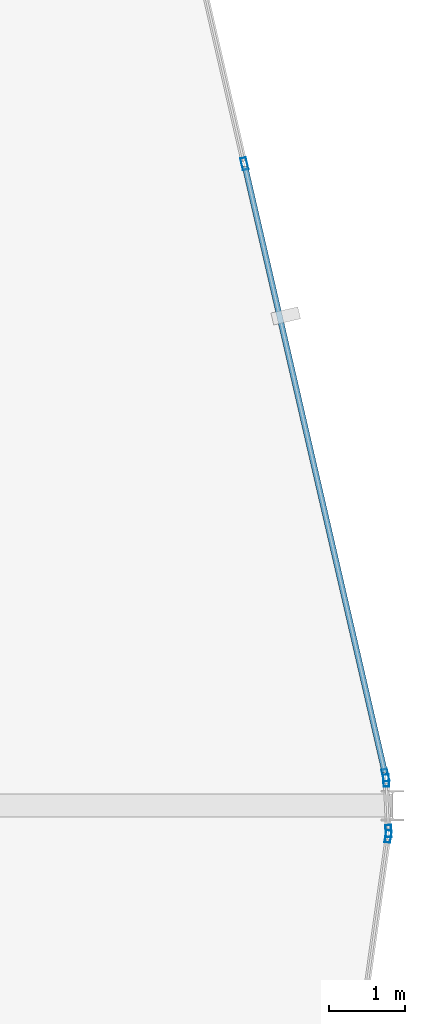
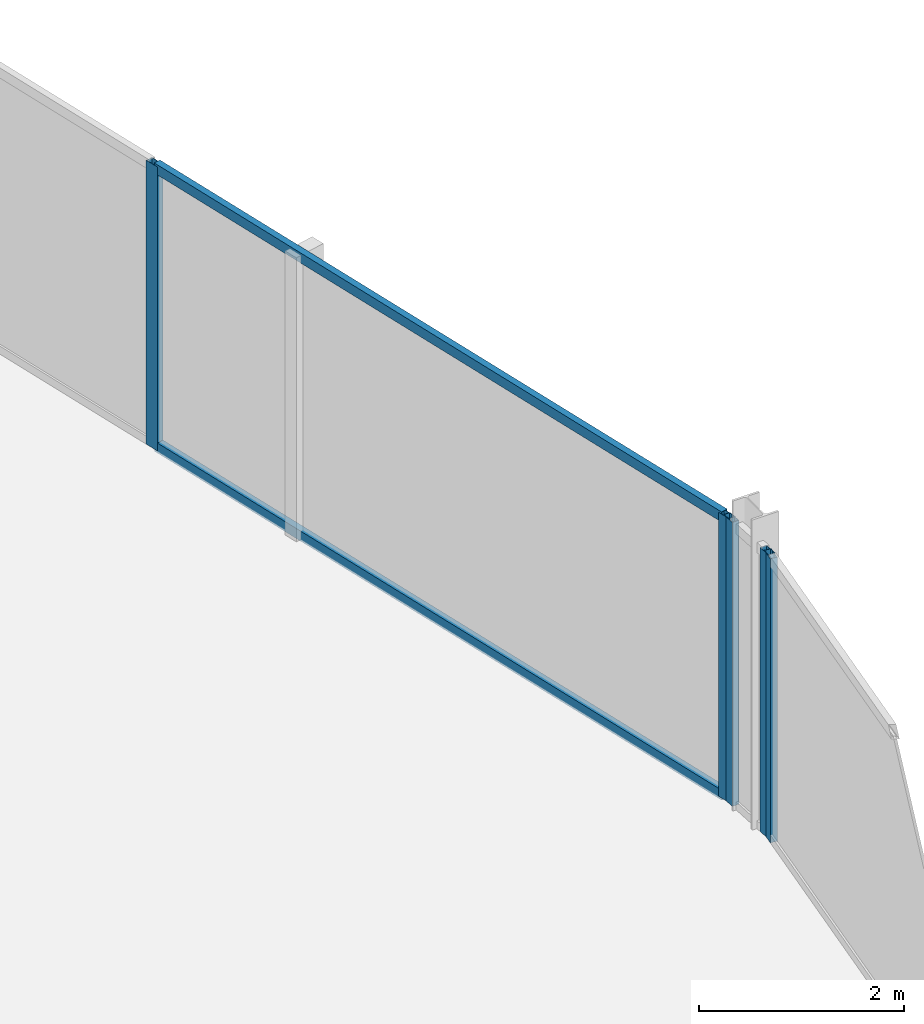
# One storey, part 14 of 27: 7 members, 3 elements without a shape of their own.
"""IFC4 building model written with IfcOpenShell, lengths in metres."""

from ifc_helpers import new_model, si_unit, direction, frame, origin, origin_2d, place, context, subcontext, project, spatial, hollow_rectangle, extrude, material, layer, layer_set, material_profile, profile_set, type_object, element, aggregate, save


model = new_model("IFC4")

# Units and contexts
model_context = context("Model", 3, precision=1e-05, world=origin(), true_north=direction((0.0, 1.0)))
body_context = subcontext(model_context, "Body", "Model", "MODEL_VIEW")
ifc_project = project(units=[si_unit("LENGTHUNIT", "METRE"), si_unit("AREAUNIT", "SQUARE_METRE"), si_unit("VOLUMEUNIT", "CUBIC_METRE"), si_unit("PLANEANGLEUNIT", "RADIAN"), si_unit("MASSUNIT", "GRAM", prefix="KILO")], contexts=[model_context])

# Site, building, storey
site_placement = place(None, origin())
site = spatial("IfcSite", under=ifc_project, at=site_placement, CompositionType="ELEMENT")
building_placement = place(site_placement, origin())
building = spatial("IfcBuilding", under=site, at=building_placement, Name="Keshet Zoharim Tower", CompositionType="ELEMENT")
storey_placement = place(building_placement, frame((0.0, 0.0, 288.0)))
storey = spatial("IfcBuildingStorey", under=building, at=storey_placement, Name="L72", CompositionType="ELEMENT", Elevation=288.0)

# Curtain wall, members
ifc_material = material(Name="Aluminium 6063-T6", Category="aluminium")
ifc_layer = layer(ifc_material, 0.260009765625)
ifc_layer_set = layer_set([ifc_layer], Name="Aluminium 6063-T6")
curtain_wall_type = type_object("IfcCurtainWallType", Name="CW-SYS-06", PredefinedType="NOTDEFINED", material=ifc_layer_set)
curtain_wall_1_placement = place(storey_placement, origin())
curtain_wall_1 = element("IfcCurtainWall", 1, at=curtain_wall_1_placement, inside=storey, type_object=curtain_wall_type, Name="L72 Unitised Curtain Wall 09", PredefinedType="NOTDEFINED")
ifc_material_profile_1 = material_profile(ifc_material, hollow_rectangle(XDim=0.074951171875, YDim=0.159912109375, WallThickness=0.00390625, at=origin_2d()), Name="MUL-75x160")
ifc_profile_set_1 = profile_set([ifc_material_profile_1], Name="Aluminium 6063-T6")
member_type_1 = type_object("IfcMemberType", Name="CWM-M15", PredefinedType="MULLION", material=ifc_profile_set_1)
member_1_placement = place(storey_placement, frame((43.063232421875, 36.291259765625, 0.0), z_axis=(0.0, 0.0, 1.0), x_axis=(0.974398012932, 0.224829963294, 0.0)))
member_1 = element("IfcMember", 2, at=member_1_placement, type_object=member_type_1, Name="CW-06 mullion 3", PredefinedType="MULLION", context=body_context, shape_type="SweptSolid", body=[
    extrude(hollow_rectangle(XDim=0.074951171875, YDim=0.159912109375, WallThickness=0.00390625, at=origin_2d()), origin(), (0.0, 0.0, 1.0), 3.389892578125),
])
member_2_placement = place(storey_placement, frame((44.908203125, 28.296142578125, 0.0), z_axis=(0.0, 0.0, 1.0), x_axis=(0.974398012932, 0.224829963294, 0.0)))
member_2 = element("IfcMember", 3, at=member_2_placement, type_object=member_type_1, Name="CW-06 mullion 4", PredefinedType="MULLION", context=body_context, shape_type="SweptSolid", body=[
    extrude(hollow_rectangle(XDim=0.074951171875, YDim=0.159912109375, WallThickness=0.00390625, at=origin_2d()), origin(), (0.0, 0.0, 1.0), 3.389892578125),
])

curtain_wall_2_placement = place(storey_placement, origin())
curtain_wall_2 = element("IfcCurtainWall", 4, at=curtain_wall_2_placement, inside=storey, type_object=curtain_wall_type, Name="L72 Unitised Curtain Wall 10", PredefinedType="NOTDEFINED")
member_3_placement = place(storey_placement, frame((44.91748046875, 28.22705078125, 0.0), z_axis=(0.0, 0.0, 1.0), x_axis=(0.999040601801, 0.043793560626, 0.0)))
member_3 = element("IfcMember", 5, at=member_3_placement, type_object=member_type_1, Name="CW-06 mullion 1", PredefinedType="MULLION", context=body_context, shape_type="SweptSolid", body=[
    extrude(hollow_rectangle(XDim=0.074951171875, YDim=0.159912109375, WallThickness=0.00390625, at=origin_2d()), origin(), (0.0, 0.0, 1.0), 3.389892578125),
])
member_4_placement = place(storey_placement, frame((44.946533203125, 27.56689453125, 0.0), z_axis=(0.0, 0.0, 1.0), x_axis=(0.999040601801, 0.043793560626, 0.0)))
member_4 = element("IfcMember", 6, at=member_4_placement, type_object=member_type_1, Name="CW-06 mullion 2", PredefinedType="MULLION", context=body_context, shape_type="SweptSolid", body=[
    extrude(hollow_rectangle(XDim=0.074951171875, YDim=0.159912109375, WallThickness=0.00390625, at=origin_2d()), origin(), (0.0, 0.0, 1.0), 3.389892578125),
])
aggregate(curtain_wall_2, [member_3, member_4])

# Curtain wall, member
curtain_wall_3_placement = place(storey_placement, origin())
curtain_wall_3 = element("IfcCurtainWall", 7, at=curtain_wall_3_placement, inside=storey, type_object=curtain_wall_type, Name="L72 Unitised Curtain Wall 11", PredefinedType="NOTDEFINED")
member_5_placement = place(storey_placement, frame((44.943115234375, 27.497314453125, 0.0), z_axis=(0.0, 0.0, 1.0), x_axis=(0.990132057422, -0.140137464177, 0.0)))
member_5 = element("IfcMember", 8, at=member_5_placement, type_object=member_type_1, Name="CW-06 mullion 1", PredefinedType="MULLION", context=body_context, shape_type="SweptSolid", body=[
    extrude(hollow_rectangle(XDim=0.074951171875, YDim=0.159912109375, WallThickness=0.00390625, at=origin_2d()), origin(), (0.0, 0.0, 1.0), 3.389892578125),
])
aggregate(curtain_wall_3, [member_5])

# Member
ifc_material_profile_2 = material_profile(ifc_material, hollow_rectangle(XDim=0.074951171875, YDim=0.1201171875, WallThickness=0.00390625, at=origin_2d()), Name="TRN-75x120")
ifc_profile_set_2 = profile_set([ifc_material_profile_2], Name="Aluminium 6063-T6")
member_type_2 = type_object("IfcMemberType", Name="CWT-T12", PredefinedType="USERDEFINED", material=ifc_profile_set_2)
member_6_placement = place(storey_placement, frame((43.0712890625, 36.25732421875, 0.034912109375), z_axis=(0.224806904107, -0.974403333259, 0.0), x_axis=(0.974403333259, 0.224806904107, 0.0)))
member_6 = element("IfcMember", 9, at=member_6_placement, type_object=member_type_2, Name="CW-06 transom 3.1", ObjectType="TRANSOM", PredefinedType="USERDEFINED", context=body_context, shape_type="SweptSolid", body=[
    extrude(hollow_rectangle(XDim=0.074951171875, YDim=0.1201171875, WallThickness=0.00390625, at=origin_2d()), origin(), (0.0, 0.0, 1.0), 8.13525390625),
])

member_7_placement = place(storey_placement, frame((43.0712890625, 36.25732421875, 3.35498046875), z_axis=(0.224806904107, -0.974403333259, 0.0), x_axis=(0.974403333259, 0.224806904107, 0.0)))
member_7 = element("IfcMember", 10, at=member_7_placement, type_object=member_type_2, Name="CW-06 transom 3.2", ObjectType="TRANSOM", PredefinedType="USERDEFINED", context=body_context, shape_type="SweptSolid", body=[
    extrude(hollow_rectangle(XDim=0.074951171875, YDim=0.1201171875, WallThickness=0.00390625, at=origin_2d()), origin(), (0.0, 0.0, 1.0), 8.13525390625),
])

aggregate(curtain_wall_1, [member_1, member_2, member_6, member_7])

save(model, "model.ifc")
